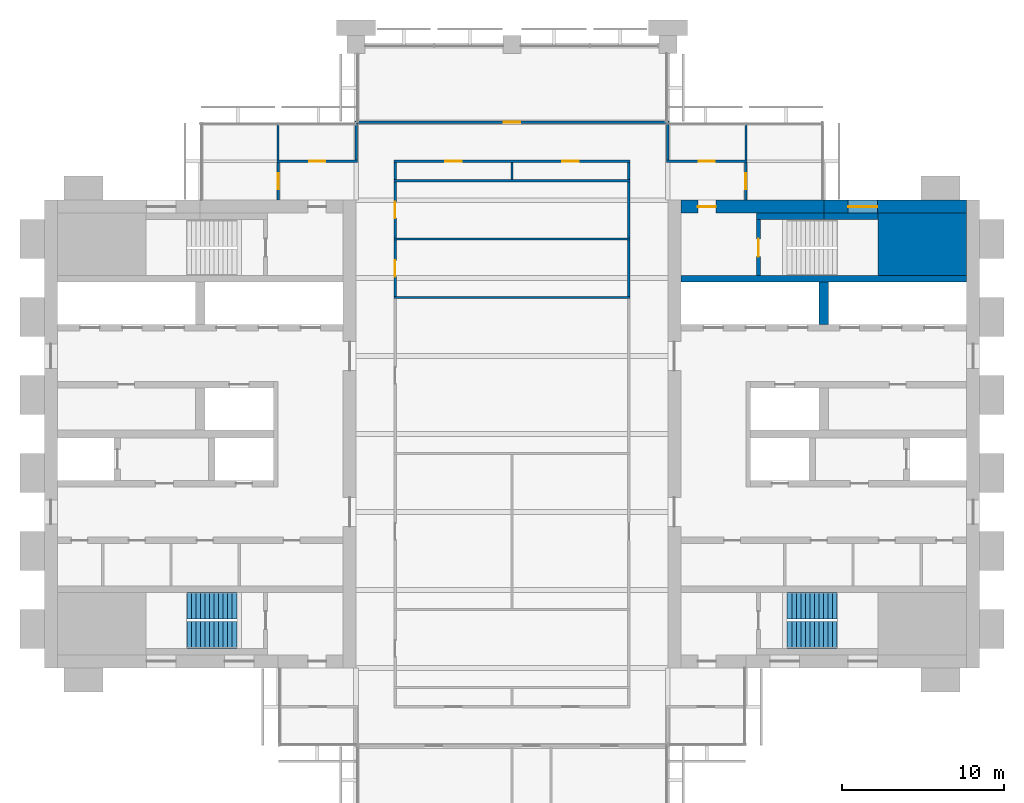
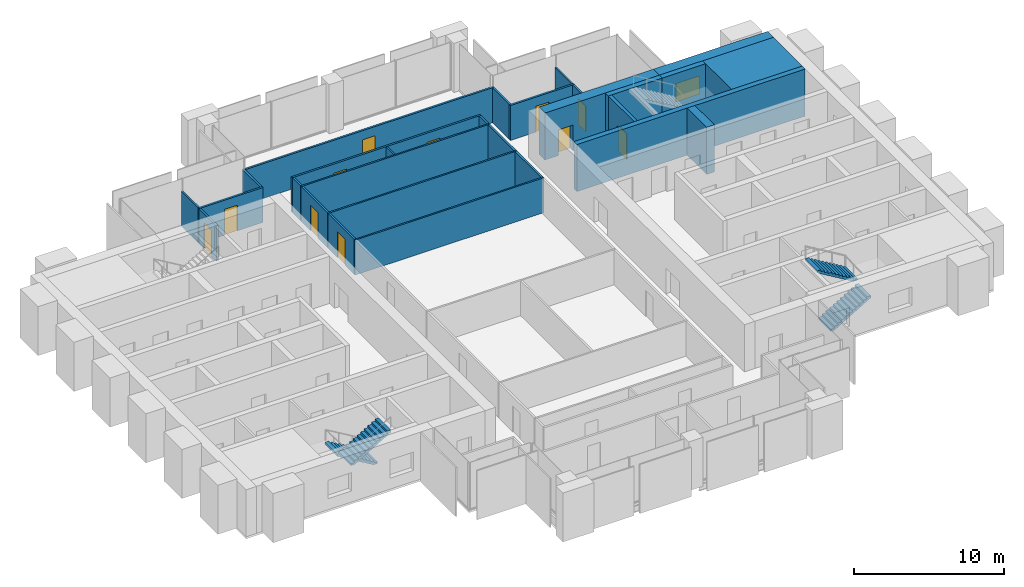
# One storey, part 11 of 13: 28 walls, 11 doors, 4 stair flights, 1 window, 12 openings, 2 elements without a shape of their own.
"""IFC4 building model written with IfcOpenShell, lengths in metres."""

from ifc_helpers import new_model, si_unit, direction, frame, frame_2d, origin, place, context, subcontext, project, spatial, polyline, rectangle, outline, extrude, material, layer, layer_set, type_object, element, fill, aggregate, save


model = new_model("IFC4")

# Units and contexts
model_context = context("Model", 3, precision=1e-05, world=origin(), true_north=direction((0.0, 1.0)))
body_context = subcontext(model_context, "Body", "Model", "MODEL_VIEW")
ifc_project = project(units=[si_unit("LENGTHUNIT", "METRE"), si_unit("AREAUNIT", "SQUARE_METRE"), si_unit("VOLUMEUNIT", "CUBIC_METRE"), si_unit("PLANEANGLEUNIT", "RADIAN"), si_unit("MASSUNIT", "GRAM", prefix="KILO")], contexts=[model_context])

# Site, building, storey
site_placement = place(None, origin())
site = spatial("IfcSite", under=ifc_project, at=site_placement, CompositionType="ELEMENT")
building_placement = place(site_placement, origin())
building = spatial("IfcBuilding", under=site, at=building_placement, Name="Baori Bourse Tower", CompositionType="ELEMENT")
storey_placement = place(building_placement, frame((0.0, 0.0, 241.199951171875)))
storey = spatial("IfcBuildingStorey", under=building, at=storey_placement, Name="L53", CompositionType="ELEMENT", Elevation=241.199951171875)

# Wall
ifc_material_1 = material(Name="Concrete f'c 50 MPa", Category="concrete")
wall_type_1 = type_object("IfcWallType", Name="Core corner block f'c 50", PredefinedType="SHEAR", material=ifc_material_1)
wall_1_placement = place(storey_placement, frame((51.35009765625, 35.675048828125, 0.0), z_axis=(0.0, 0.0, 1.0), x_axis=(1.0, 0.0, 0.0)))
element("IfcWall", 1, at=wall_1_placement, inside=storey, type_object=wall_type_1, Name="Core wall E23", PredefinedType="SHEAR", context=body_context, shape_type="SweptSolid", body=[
    extrude(rectangle(XDim=5.449951171875, YDim=3.85009765625, at=frame_2d((2.72509765625, 0.0))), origin(), (0.0, 0.0, 1.0), 3.840087890625),
])

# Wall, opening, window
ifc_material_2 = material(Name="Concrete f'c 50 MPa", Category="concrete")
ifc_layer_1 = layer(ifc_material_2, 0.800048828125)
ifc_layer_set_1 = layer_set([ifc_layer_1], Name="Core wall 800 f'c 50")
wall_type_2 = type_object("IfcWallType", Name="Core wall 800 f'c 50", PredefinedType="SHEAR", material=ifc_layer_set_1)
wall_2_placement = place(storey_placement, frame((48.0, 38.0, 0.0), z_axis=(0.0, 0.0, 1.0), x_axis=(1.0, 0.0, 0.0)))
wall_2 = element("IfcWall", 2, at=wall_2_placement, inside=storey, type_object=wall_type_2, Name="Core wall E27", PredefinedType="SHEAR", context=body_context, shape_type="SweptSolid", body=[
    extrude(rectangle(XDim=8.800048828125, YDim=0.800048828125, at=frame_2d((4.39990234375, 0.0))), origin(), (0.0, 0.0, 1.0), 3.840087890625),
])
opening_1_placement = place(wall_2_placement, frame((1.5, 0.0, 0.89990234375)))
opening_1 = element("IfcOpeningElement", 3, at=opening_1_placement, cuts=wall_2, Name="Opening L53-KW205", PredefinedType="OPENING", context=body_context, shape_type="SweptSolid", body=[
    extrude(rectangle(XDim=1.800048828125, YDim=1.5, at=frame_2d((0.89990234375, 0.75))), frame((0.0, 0.409912109375, 0.0), z_axis=(0.0, -1.0, 0.0), x_axis=(1.0, 0.0, 0.0)), (0.0, 0.0, 1.0), 0.820068359375),
])
ifc_material_3 = material(Name="Pale anodised aluminium", Category="aluminium")
window_type = type_object("IfcWindowType", Name="Stair window 1800 x 1500", PartitioningType="SINGLE_PANEL", PredefinedType="WINDOW", material=ifc_material_3)
window_placement = place(opening_1_placement, origin())
window = element("IfcWindow", 4, at=window_placement, inside=storey, type_object=window_type, Name="Stair window E L53 5", OverallHeight=1.5, OverallWidth=1.800048828125, PartitioningType="SINGLE_PANEL", PredefinedType="WINDOW", context=body_context, shape_type="SweptSolid", body=[
    extrude(rectangle(XDim=1.800048828125, YDim=1.5, at=frame_2d((0.89990234375, 0.75))), frame((0.0, 0.030029296875, 0.0), z_axis=(0.0, -1.0, 0.0), x_axis=(1.0, 0.0, 0.0)), (0.0, 0.0, 1.0), 0.06005859375),
])
fill(opening_1, window)

# Wall, opening, door
wall_3_placement = place(storey_placement, frame((39.199951171875, 38.0, 0.0), z_axis=(0.0, 0.0, 1.0), x_axis=(1.0, 0.0, 0.0)))
wall_3 = element("IfcWall", 5, at=wall_3_placement, inside=storey, type_object=wall_type_2, Name="Core wall E28", PredefinedType="SHEAR", context=body_context, shape_type="SweptSolid", body=[
    extrude(rectangle(XDim=8.800048828125, YDim=0.800048828125, at=frame_2d((4.39990234375, 0.0))), origin(), (0.0, 0.0, 1.0), 3.840087890625),
])
opening_2_placement = place(wall_3_placement, frame((1.050048828125, 0.0, 0.0)))
opening_2 = element("IfcOpeningElement", 6, at=opening_2_placement, cuts=wall_3, Name="Opening L53-D204", PredefinedType="OPENING", context=body_context, shape_type="SweptSolid", body=[
    extrude(rectangle(XDim=1.10009765625, YDim=2.10009765625, at=frame_2d((0.550048828125, 1.050048828125))), frame((0.0, 0.409912109375, 0.0), z_axis=(0.0, -1.0, 0.0), x_axis=(1.0, 0.0, 0.0)), (0.0, 0.0, 1.0), 0.820068359375),
])
ifc_material_4 = material(Name="Painted steel door", Category="steel")
door_type_1 = type_object("IfcDoorType", Name="Stair door 1100", OperationType="SINGLE_SWING_LEFT", PredefinedType="DOOR", material=ifc_material_4)
door_1_placement = place(opening_2_placement, origin())
door_1 = element("IfcDoor", 7, at=door_1_placement, inside=storey, type_object=door_type_1, Name="Stair vestibule door B E L53", OperationType="SINGLE_SWING_LEFT", OverallHeight=2.10009765625, OverallWidth=1.10009765625, PredefinedType="DOOR", context=body_context, shape_type="SweptSolid", body=[
    extrude(rectangle(XDim=1.10009765625, YDim=2.10009765625, at=frame_2d((0.550048828125, 1.050048828125))), frame((0.0, 0.02490234375, 0.0), z_axis=(0.0, -1.0, 0.0), x_axis=(1.0, 0.0, 0.0)), (0.0, 0.0, 1.0), 0.050048828125),
])
fill(opening_2, door_1)

ifc_material_5 = material(Name="Gypsum board partition")
ifc_layer_2 = layer(ifc_material_5, 0.14990234375)
ifc_layer_set_2 = layer_set([ifc_layer_2], Name="Corridor partition 150")
wall_type_3 = type_object("IfcWallType", Name="Corridor partition 150", PredefinedType="PARTITIONING", material=ifc_layer_set_2)
wall_4_placement = place(storey_placement, frame((14.324951171875, 40.800048828125, 0.0), z_axis=(0.0, 0.0, 1.0), x_axis=(1.0, 0.0, 0.0)))
wall_4 = element("IfcWall", 8, at=wall_4_placement, inside=storey, type_object=wall_type_3, Name="Partition", PredefinedType="PARTITIONING", context=body_context, shape_type="SweptSolid", body=[
    extrude(rectangle(XDim=4.949951171875, YDim=0.14990234375, at=frame_2d((2.47509765625, 0.0))), origin(), (0.0, 0.0, 1.0), 2.849365234375),
])
opening_3_placement = place(wall_4_placement, frame((1.97509765625, 0.0, 0.0)))
opening_3 = element("IfcOpeningElement", 9, at=opening_3_placement, cuts=wall_4, Name="Opening L53-D08", PredefinedType="OPENING", context=body_context, shape_type="SweptSolid", body=[
    extrude(rectangle(XDim=1.0, YDim=2.10009765625, at=frame_2d((0.5, 1.050048828125))), frame((0.0, 0.0849609375, 0.0), z_axis=(0.0, -1.0, 0.0), x_axis=(1.0, 0.0, 0.0)), (0.0, 0.0, 1.0), 0.169921875),
])
ifc_material_6 = material(Name="Timber door leaf", Category="wood")
door_type_2 = type_object("IfcDoorType", Name="Door 1000 x 2100", OperationType="SINGLE_SWING_LEFT", PredefinedType="DOOR", material=ifc_material_6)
door_2_placement = place(opening_3_placement, origin())
door_2 = element("IfcDoor", 10, at=door_2_placement, inside=storey, type_object=door_type_2, Name="Door", OperationType="SINGLE_SWING_LEFT", OverallHeight=2.10009765625, OverallWidth=1.0, PredefinedType="DOOR", context=body_context, shape_type="SweptSolid", body=[
    extrude(rectangle(XDim=1.0, YDim=2.10009765625, at=frame_2d((0.5, 1.050048828125))), frame((0.0, 0.02490234375, 0.0), z_axis=(0.0, -1.0, 0.0), x_axis=(1.0, 0.0, 0.0)), (0.0, 0.0, 1.0), 0.050048828125),
])
fill(opening_3, door_2)

# Wall, openings, doors
wall_5_placement = place(storey_placement, frame((21.52490234375, 40.800048828125, 0.0), z_axis=(0.0, 0.0, 1.0), x_axis=(1.0, 0.0, 0.0)))
wall_5 = element("IfcWall", 11, at=wall_5_placement, inside=storey, type_object=wall_type_3, Name="Partition", PredefinedType="PARTITIONING", context=body_context, shape_type="SweptSolid", body=[
    extrude(rectangle(XDim=14.550048828125, YDim=0.14990234375, at=frame_2d((7.27490234375, 0.0))), origin(), (0.0, 0.0, 1.0), 2.849365234375),
])
opening_4_placement = place(wall_5_placement, frame((3.175048828125, 0.0, 0.0)))
opening_4 = element("IfcOpeningElement", 12, at=opening_4_placement, cuts=wall_5, Name="Opening L53-D09", PredefinedType="OPENING", context=body_context, shape_type="SweptSolid", body=[
    extrude(rectangle(XDim=1.0, YDim=2.10009765625, at=frame_2d((0.5, 1.050048828125))), frame((0.0, 0.0849609375, 0.0), z_axis=(0.0, -1.0, 0.0), x_axis=(1.0, 0.0, 0.0)), (0.0, 0.0, 1.0), 0.169921875),
])
opening_5_placement = place(wall_5_placement, frame((10.375, 0.0, 0.0)))
opening_5 = element("IfcOpeningElement", 13, at=opening_5_placement, cuts=wall_5, Name="Opening L53-D10", PredefinedType="OPENING", context=body_context, shape_type="SweptSolid", body=[
    extrude(rectangle(XDim=1.0, YDim=2.10009765625, at=frame_2d((0.5, 1.050048828125))), frame((0.0, 0.0849609375, 0.0), z_axis=(0.0, -1.0, 0.0), x_axis=(1.0, 0.0, 0.0)), (0.0, 0.0, 1.0), 0.169921875),
])
door_3_placement = place(opening_4_placement, origin())
door_3 = element("IfcDoor", 14, at=door_3_placement, inside=storey, type_object=door_type_2, Name="Door", OperationType="SINGLE_SWING_LEFT", OverallHeight=2.10009765625, OverallWidth=1.0, PredefinedType="DOOR", context=body_context, shape_type="SweptSolid", body=[
    extrude(rectangle(XDim=1.0, YDim=2.10009765625, at=frame_2d((0.5, 1.050048828125))), frame((0.0, 0.02490234375, 0.0), z_axis=(0.0, -1.0, 0.0), x_axis=(1.0, 0.0, 0.0)), (0.0, 0.0, 1.0), 0.050048828125),
])
fill(opening_4, door_3)
door_4_placement = place(opening_5_placement, origin())
door_4 = element("IfcDoor", 15, at=door_4_placement, inside=storey, type_object=door_type_2, Name="Door", OperationType="SINGLE_SWING_RIGHT", OverallHeight=2.10009765625, OverallWidth=1.0, PredefinedType="DOOR", context=body_context, shape_type="SweptSolid", body=[
    extrude(rectangle(XDim=1.0, YDim=2.10009765625, at=frame_2d((0.5, 1.050048828125))), frame((0.0, 0.02490234375, 0.0), z_axis=(0.0, -1.0, 0.0), x_axis=(1.0, 0.0, 0.0)), (0.0, 0.0, 1.0), 0.050048828125),
])
fill(opening_5, door_4)

# Wall, opening, door
wall_6_placement = place(storey_placement, frame((38.324951171875, 40.800048828125, 0.0), z_axis=(0.0, 0.0, 1.0), x_axis=(1.0, 0.0, 0.0)))
wall_6 = element("IfcWall", 16, at=wall_6_placement, inside=storey, type_object=wall_type_3, Name="Partition", PredefinedType="PARTITIONING", context=body_context, shape_type="SweptSolid", body=[
    extrude(rectangle(XDim=4.949951171875, YDim=0.14990234375, at=frame_2d((2.47509765625, 0.0))), origin(), (0.0, 0.0, 1.0), 2.849365234375),
])
opening_6_placement = place(wall_6_placement, frame((1.97509765625, 0.0, 0.0)))
opening_6 = element("IfcOpeningElement", 17, at=opening_6_placement, cuts=wall_6, Name="Opening L53-D11", PredefinedType="OPENING", context=body_context, shape_type="SweptSolid", body=[
    extrude(rectangle(XDim=1.0, YDim=2.10009765625, at=frame_2d((0.5, 1.050048828125))), frame((0.0, 0.0849609375, 0.0), z_axis=(0.0, -1.0, 0.0), x_axis=(1.0, 0.0, 0.0)), (0.0, 0.0, 1.0), 0.169921875),
])
door_5_placement = place(opening_6_placement, origin())
door_5 = element("IfcDoor", 18, at=door_5_placement, inside=storey, type_object=door_type_2, Name="Door", OperationType="SINGLE_SWING_RIGHT", OverallHeight=2.10009765625, OverallWidth=1.0, PredefinedType="DOOR", context=body_context, shape_type="SweptSolid", body=[
    extrude(rectangle(XDim=1.0, YDim=2.10009765625, at=frame_2d((0.5, 1.050048828125))), frame((0.0, 0.02490234375, 0.0), z_axis=(0.0, -1.0, 0.0), x_axis=(1.0, 0.0, 0.0)), (0.0, 0.0, 1.0), 0.050048828125),
])
fill(opening_6, door_5)

wall_7_placement = place(storey_placement, frame((19.125, 43.199951171875, 0.0), z_axis=(0.0, 0.0, 1.0), x_axis=(1.0, 0.0, 0.0)))
wall_7 = element("IfcWall", 19, at=wall_7_placement, inside=storey, type_object=wall_type_3, Name="Partition", PredefinedType="PARTITIONING", context=body_context, shape_type="SweptSolid", body=[
    extrude(rectangle(XDim=19.35009765625, YDim=0.14990234375, at=frame_2d((9.675048828125, 0.0))), origin(), (0.0, 0.0, 1.0), 2.849365234375),
])
opening_7_placement = place(wall_7_placement, frame((9.175048828125, 0.0, 0.0)))
opening_7 = element("IfcOpeningElement", 20, at=opening_7_placement, cuts=wall_7, Name="Opening L53-D12", PredefinedType="OPENING", context=body_context, shape_type="SweptSolid", body=[
    extrude(rectangle(XDim=1.0, YDim=2.10009765625, at=frame_2d((0.5, 1.050048828125))), frame((0.0, 0.0849609375, 0.0), z_axis=(0.0, -1.0, 0.0), x_axis=(1.0, 0.0, 0.0)), (0.0, 0.0, 1.0), 0.169921875),
])
door_6_placement = place(opening_7_placement, origin())
door_6 = element("IfcDoor", 21, at=door_6_placement, inside=storey, type_object=door_type_2, Name="Door", OperationType="SINGLE_SWING_RIGHT", OverallHeight=2.10009765625, OverallWidth=1.0, PredefinedType="DOOR", context=body_context, shape_type="SweptSolid", body=[
    extrude(rectangle(XDim=1.0, YDim=2.10009765625, at=frame_2d((0.5, 1.050048828125))), frame((0.0, 0.02490234375, 0.0), z_axis=(0.0, -1.0, 0.0), x_axis=(1.0, 0.0, 0.0)), (0.0, 0.0, 1.0), 0.050048828125),
])
fill(opening_7, door_6)

wall_8_placement = place(storey_placement, frame((14.39990234375, 38.39990234375, 0.0), z_axis=(0.0, 0.0, 1.0), x_axis=(0.0, 1.0, 0.0)))
wall_8 = element("IfcWall", 22, at=wall_8_placement, inside=storey, type_object=wall_type_3, Name="Partition", PredefinedType="PARTITIONING", context=body_context, shape_type="SweptSolid", body=[
    extrude(rectangle(XDim=2.3251953125, YDim=0.14990234375, at=frame_2d((1.16259765625, 0.0))), origin(), (0.0, 0.0, 1.0), 2.849365234375),
])
opening_8_placement = place(wall_8_placement, frame((0.66259765625, 0.0, 0.0)))
opening_8 = element("IfcOpeningElement", 23, at=opening_8_placement, cuts=wall_8, Name="Opening L53-D13", PredefinedType="OPENING", context=body_context, shape_type="SweptSolid", body=[
    extrude(rectangle(XDim=1.0, YDim=2.10009765625, at=frame_2d((0.5, 1.050048828125))), frame((0.0, 0.0849609375, 0.0), z_axis=(0.0, -1.0, 0.0), x_axis=(1.0, 0.0, 0.0)), (0.0, 0.0, 1.0), 0.169921875),
])
door_7_placement = place(opening_8_placement, origin())
door_7 = element("IfcDoor", 24, at=door_7_placement, inside=storey, type_object=door_type_2, Name="Door", OperationType="SINGLE_SWING_RIGHT", OverallHeight=2.10009765625, OverallWidth=1.0, PredefinedType="DOOR", context=body_context, shape_type="SweptSolid", body=[
    extrude(rectangle(XDim=1.0, YDim=2.10009765625, at=frame_2d((0.5, 1.050048828125))), frame((0.0, 0.02490234375, 0.0), z_axis=(0.0, -1.0, 0.0), x_axis=(1.0, 0.0, 0.0)), (0.0, 0.0, 1.0), 0.050048828125),
])
fill(opening_8, door_7)

# Wall
wall_9_placement = place(storey_placement, frame((19.199951171875, 40.875, 0.0), z_axis=(0.0, 0.0, 1.0), x_axis=(0.0, 1.0, 0.0)))
element("IfcWall", 25, at=wall_9_placement, inside=storey, type_object=wall_type_3, Name="Partition", PredefinedType="PARTITIONING", context=body_context, shape_type="SweptSolid", body=[
    extrude(rectangle(XDim=2.25, YDim=0.14990234375, at=frame_2d((1.125, 0.0))), origin(), (0.0, 0.0, 1.0), 2.849365234375),
])

# Wall, opening, door
wall_10_placement = place(storey_placement, frame((21.60009765625, 32.46240234375, 0.0), z_axis=(0.0, 0.0, 1.0), x_axis=(0.0, 1.0, 0.0)))
wall_10 = element("IfcWall", 26, at=wall_10_placement, inside=storey, type_object=wall_type_3, Name="Partition", PredefinedType="PARTITIONING", context=body_context, shape_type="SweptSolid", body=[
    extrude(rectangle(XDim=3.47509765625, YDim=0.14990234375, at=frame_2d((1.737548828125, 0.0))), origin(), (0.0, 0.0, 1.0), 2.849365234375),
])
opening_9_placement = place(wall_10_placement, frame((1.237548828125, 0.0, 0.0)))
opening_9 = element("IfcOpeningElement", 27, at=opening_9_placement, cuts=wall_10, Name="Opening L53-D17", PredefinedType="OPENING", context=body_context, shape_type="SweptSolid", body=[
    extrude(rectangle(XDim=1.0, YDim=2.10009765625, at=frame_2d((0.5, 1.050048828125))), frame((0.0, 0.0849609375, 0.0), z_axis=(0.0, -1.0, 0.0), x_axis=(1.0, 0.0, 0.0)), (0.0, 0.0, 1.0), 0.169921875),
])
door_8_placement = place(opening_9_placement, origin())
door_8 = element("IfcDoor", 28, at=door_8_placement, inside=storey, type_object=door_type_2, Name="Door", OperationType="SINGLE_SWING_RIGHT", OverallHeight=2.10009765625, OverallWidth=1.0, PredefinedType="DOOR", context=body_context, shape_type="SweptSolid", body=[
    extrude(rectangle(XDim=1.0, YDim=2.10009765625, at=frame_2d((0.5, 1.050048828125))), frame((0.0, 0.02490234375, 0.0), z_axis=(0.0, -1.0, 0.0), x_axis=(1.0, 0.0, 0.0)), (0.0, 0.0, 1.0), 0.050048828125),
])
fill(opening_9, door_8)

wall_11_placement = place(storey_placement, frame((21.60009765625, 36.0625, 0.0), z_axis=(0.0, 0.0, 1.0), x_axis=(0.0, 1.0, 0.0)))
wall_11 = element("IfcWall", 29, at=wall_11_placement, inside=storey, type_object=wall_type_3, Name="Partition", PredefinedType="PARTITIONING", context=body_context, shape_type="SweptSolid", body=[
    extrude(rectangle(XDim=3.47509765625, YDim=0.14990234375, at=frame_2d((1.737548828125, 0.0))), origin(), (0.0, 0.0, 1.0), 2.849365234375),
])
opening_10_placement = place(wall_11_placement, frame((1.237548828125, 0.0, 0.0)))
opening_10 = element("IfcOpeningElement", 30, at=opening_10_placement, cuts=wall_11, Name="Opening L53-D18", PredefinedType="OPENING", context=body_context, shape_type="SweptSolid", body=[
    extrude(rectangle(XDim=1.0, YDim=2.10009765625, at=frame_2d((0.5, 1.050048828125))), frame((0.0, 0.0849609375, 0.0), z_axis=(0.0, -1.0, 0.0), x_axis=(1.0, 0.0, 0.0)), (0.0, 0.0, 1.0), 0.169921875),
])
door_9_placement = place(opening_10_placement, origin())
door_9 = element("IfcDoor", 31, at=door_9_placement, inside=storey, type_object=door_type_2, Name="Door", OperationType="SINGLE_SWING_LEFT", OverallHeight=2.10009765625, OverallWidth=1.0, PredefinedType="DOOR", context=body_context, shape_type="SweptSolid", body=[
    extrude(rectangle(XDim=1.0, YDim=2.10009765625, at=frame_2d((0.5, 1.050048828125))), frame((0.0, 0.02490234375, 0.0), z_axis=(0.0, -1.0, 0.0), x_axis=(1.0, 0.0, 0.0)), (0.0, 0.0, 1.0), 0.050048828125),
])
fill(opening_10, door_9)

# Walls
wall_12_placement = place(storey_placement, frame((21.60009765625, 39.66259765625, 0.0), z_axis=(0.0, 0.0, 1.0), x_axis=(0.0, 1.0, 0.0)))
element("IfcWall", 32, at=wall_12_placement, inside=storey, type_object=wall_type_3, Name="Partition", PredefinedType="PARTITIONING", context=body_context, shape_type="SweptSolid", body=[
    extrude(rectangle(XDim=1.0625, YDim=0.14990234375, at=frame_2d((0.53125, 0.0))), origin(), (0.0, 0.0, 1.0), 2.849365234375),
])
for number, where, z_axis, x_axis, name in (
    (33, (36.0, 32.46240234375, 0.0), (0.0, 0.0, 1.0), (0.0, 1.0, 0.0), "Partition"),
    (34, (36.0, 36.0625, 0.0), (0.0, 0.0, 1.0), (0.0, 1.0, 0.0), "Partition"),
):
    element("IfcWall", number, at=place(storey_placement, frame(where, z_axis=z_axis, x_axis=x_axis)), inside=storey, type_object=wall_type_3, Name=name, PredefinedType="PARTITIONING", context=body_context, shape_type="SweptSolid", body=[
        extrude(rectangle(XDim=3.47509765625, YDim=0.14990234375, at=frame_2d((1.737548828125, 0.0))), origin(), (0.0, 0.0, 1.0), 2.849365234375),
    ])
wall_13_placement = place(storey_placement, frame((36.0, 39.66259765625, 0.0), z_axis=(0.0, 0.0, 1.0), x_axis=(0.0, 1.0, 0.0)))
element("IfcWall", 35, at=wall_13_placement, inside=storey, type_object=wall_type_3, Name="Partition", PredefinedType="PARTITIONING", context=body_context, shape_type="SweptSolid", body=[
    extrude(rectangle(XDim=1.0625, YDim=0.14990234375, at=frame_2d((0.53125, 0.0))), origin(), (0.0, 0.0, 1.0), 2.849365234375),
])
wall_14_placement = place(storey_placement, frame((38.39990234375, 40.875, 0.0), z_axis=(0.0, 0.0, 1.0), x_axis=(0.0, 1.0, 0.0)))
element("IfcWall", 36, at=wall_14_placement, inside=storey, type_object=wall_type_3, Name="Partition", PredefinedType="PARTITIONING", context=body_context, shape_type="SweptSolid", body=[
    extrude(rectangle(XDim=2.25, YDim=0.14990234375, at=frame_2d((1.125, 0.0))), origin(), (0.0, 0.0, 1.0), 2.849365234375),
])

# Wall, opening, door
wall_15_placement = place(storey_placement, frame((43.199951171875, 38.39990234375, 0.0), z_axis=(0.0, 0.0, 1.0), x_axis=(0.0, 1.0, 0.0)))
wall_15 = element("IfcWall", 37, at=wall_15_placement, inside=storey, type_object=wall_type_3, Name="Partition", PredefinedType="PARTITIONING", context=body_context, shape_type="SweptSolid", body=[
    extrude(rectangle(XDim=2.3251953125, YDim=0.14990234375, at=frame_2d((1.16259765625, 0.0))), origin(), (0.0, 0.0, 1.0), 2.849365234375),
])
opening_11_placement = place(wall_15_placement, frame((0.66259765625, 0.0, 0.0)))
opening_11 = element("IfcOpeningElement", 38, at=opening_11_placement, cuts=wall_15, Name="Opening L53-D20", PredefinedType="OPENING", context=body_context, shape_type="SweptSolid", body=[
    extrude(rectangle(XDim=1.0, YDim=2.10009765625, at=frame_2d((0.5, 1.050048828125))), frame((0.0, 0.0849609375, 0.0), z_axis=(0.0, -1.0, 0.0), x_axis=(1.0, 0.0, 0.0)), (0.0, 0.0, 1.0), 0.169921875),
])
door_10_placement = place(opening_11_placement, origin())
door_10 = element("IfcDoor", 39, at=door_10_placement, inside=storey, type_object=door_type_2, Name="Door", OperationType="SINGLE_SWING_LEFT", OverallHeight=2.10009765625, OverallWidth=1.0, PredefinedType="DOOR", context=body_context, shape_type="SweptSolid", body=[
    extrude(rectangle(XDim=1.0, YDim=2.10009765625, at=frame_2d((0.5, 1.050048828125))), frame((0.0, 0.02490234375, 0.0), z_axis=(0.0, -1.0, 0.0), x_axis=(1.0, 0.0, 0.0)), (0.0, 0.0, 1.0), 0.050048828125),
])
fill(opening_11, door_10)

# Walls
ifc_material_7 = material(Name="Gypsum board partition")
ifc_layer_3 = layer(ifc_material_7, 0.125)
ifc_layer_set_3 = layer_set([ifc_layer_3], Name="Partition 125")
wall_type_4 = type_object("IfcWallType", Name="Partition 125", PredefinedType="PARTITIONING", material=ifc_layer_set_3)
for number, where, z_axis, x_axis, name in (
    (40, (21.52490234375, 32.39990234375, 0.0), (0.0, 0.0, 1.0), (1.0, 0.0, 0.0), "Partition"),
    (41, (21.52490234375, 36.0, 0.0), (0.0, 0.0, 1.0), (1.0, 0.0, 0.0), "Partition"),
    (42, (21.52490234375, 39.60009765625, 0.0), (0.0, 0.0, 1.0), (1.0, 0.0, 0.0), "Partition"),
):
    element("IfcWall", number, at=place(storey_placement, frame(where, z_axis=z_axis, x_axis=x_axis)), inside=storey, type_object=wall_type_4, Name=name, PredefinedType="PARTITIONING", context=body_context, shape_type="SweptSolid", body=[
        extrude(rectangle(XDim=14.550048828125, YDim=0.125, at=frame_2d((7.27490234375, 0.0))), origin(), (0.0, 0.0, 1.0), 2.849365234375),
    ])
wall_16_placement = place(storey_placement, frame((14.39990234375, 40.875, 0.0), z_axis=(0.0, 0.0, 1.0), x_axis=(0.0, 1.0, 0.0)))
element("IfcWall", 43, at=wall_16_placement, inside=storey, type_object=wall_type_4, Name="Partition", PredefinedType="PARTITIONING", context=body_context, shape_type="SweptSolid", body=[
    extrude(rectangle(XDim=2.22509765625, YDim=0.125, at=frame_2d((1.112548828125, 0.0))), origin(), (0.0, 0.0, 1.0), 2.849365234375),
])
wall_17_placement = place(storey_placement, frame((28.800048828125, 39.66259765625, 0.0), z_axis=(0.0, 0.0, 1.0), x_axis=(0.0, 1.0, 0.0)))
element("IfcWall", 44, at=wall_17_placement, inside=storey, type_object=wall_type_4, Name="Partition", PredefinedType="PARTITIONING", context=body_context, shape_type="SweptSolid", body=[
    extrude(rectangle(XDim=1.0625, YDim=0.125, at=frame_2d((0.53125, 0.0))), origin(), (0.0, 0.0, 1.0), 2.849365234375),
])
wall_18_placement = place(storey_placement, frame((43.199951171875, 40.875, 0.0), z_axis=(0.0, 0.0, 1.0), x_axis=(0.0, 1.0, 0.0)))
element("IfcWall", 45, at=wall_18_placement, inside=storey, type_object=wall_type_4, Name="Partition", PredefinedType="PARTITIONING", context=body_context, shape_type="SweptSolid", body=[
    extrude(rectangle(XDim=2.22509765625, YDim=0.125, at=frame_2d((1.112548828125, 0.0))), origin(), (0.0, 0.0, 1.0), 2.849365234375),
])

# Wall, opening, door
ifc_material_8 = material(Name="Concrete f'c 50 MPa", Category="concrete")
ifc_layer_4 = layer(ifc_material_8, 0.25)
ifc_layer_set_4 = layer_set([ifc_layer_4], Name="Shaft wall 250 f'c 50")
wall_type_5 = type_object("IfcWallType", Name="Shaft wall 250 f'c 50", PredefinedType="SHEAR", material=ifc_layer_set_4)
wall_19_placement = place(storey_placement, frame((43.97509765625, 33.75, 0.0), z_axis=(0.0, 0.0, 1.0), x_axis=(0.0, 1.0, 0.0)))
wall_19 = element("IfcWall", 46, at=wall_19_placement, inside=storey, type_object=wall_type_5, Name="Core wall E24", PredefinedType="SHEAR", context=body_context, shape_type="SweptSolid", body=[
    extrude(rectangle(XDim=3.449951171875, YDim=0.25, at=frame_2d((1.72509765625, 0.0))), origin(), (0.0, 0.0, 1.0), 3.840087890625),
])
opening_12_placement = place(wall_19_placement, frame((1.175048828125, 0.0, 0.0)))
opening_12 = element("IfcOpeningElement", 47, at=opening_12_placement, cuts=wall_19, Name="Opening L53-D203", PredefinedType="OPENING", context=body_context, shape_type="SweptSolid", body=[
    extrude(rectangle(XDim=1.10009765625, YDim=2.10009765625, at=frame_2d((0.550048828125, 1.050048828125))), frame((0.0, 0.135009765625, 0.0), z_axis=(0.0, -1.0, 0.0), x_axis=(1.0, 0.0, 0.0)), (0.0, 0.0, 1.0), 0.27001953125),
])
door_11_placement = place(opening_12_placement, origin())
door_11 = element("IfcDoor", 48, at=door_11_placement, inside=storey, type_object=door_type_1, Name="Stair door B E L53", OperationType="SINGLE_SWING_LEFT", OverallHeight=2.10009765625, OverallWidth=1.10009765625, PredefinedType="DOOR", context=body_context, shape_type="SweptSolid", body=[
    extrude(rectangle(XDim=1.10009765625, YDim=2.10009765625, at=frame_2d((0.550048828125, 1.050048828125))), frame((0.0, 0.02490234375, 0.0), z_axis=(0.0, -1.0, 0.0), x_axis=(1.0, 0.0, 0.0)), (0.0, 0.0, 1.0), 0.050048828125),
])
fill(opening_12, door_11)

# Walls
ifc_material_9 = material(Name="Concrete f'c 50 MPa", Category="concrete")
ifc_layer_5 = layer(ifc_material_9, 0.39990234375)
ifc_layer_set_5 = layer_set([ifc_layer_5], Name="Shaft wall 400 f'c 50")
wall_type_6 = type_object("IfcWallType", Name="Shaft wall 400 f'c 50", PredefinedType="SHEAR", material=ifc_layer_set_5)
wall_20_placement = place(storey_placement, frame((39.199951171875, 33.550048828125, 0.0), z_axis=(0.0, 0.0, 1.0), x_axis=(1.0, 0.0, 0.0)))
element("IfcWall", 49, at=wall_20_placement, inside=storey, type_object=wall_type_6, Name="Core wall E22", PredefinedType="SHEAR", context=body_context, shape_type="SweptSolid", body=[
    extrude(rectangle(XDim=17.60009765625, YDim=0.39990234375, at=frame_2d((8.800048828125, 0.0))), origin(), (0.0, 0.0, 1.0), 3.840087890625),
])
wall_21_placement = place(storey_placement, frame((48.0, 37.39990234375, 0.0), z_axis=(0.0, 0.0, 1.0), x_axis=(1.0, 0.0, 0.0)))
element("IfcWall", 50, at=wall_21_placement, inside=storey, type_object=wall_type_6, Name="Core wall E25", PredefinedType="SHEAR", context=body_context, shape_type="SweptSolid", body=[
    extrude(rectangle(XDim=3.35009765625, YDim=0.39990234375, at=frame_2d((1.675048828125, 0.0))), origin(), (0.0, 0.0, 1.0), 3.840087890625),
])
wall_22_placement = place(storey_placement, frame((43.85009765625, 37.39990234375, 0.0), z_axis=(0.0, 0.0, 1.0), x_axis=(1.0, 0.0, 0.0)))
element("IfcWall", 51, at=wall_22_placement, inside=storey, type_object=wall_type_6, Name="Core wall E26", PredefinedType="SHEAR", context=body_context, shape_type="SweptSolid", body=[
    extrude(rectangle(XDim=4.14990234375, YDim=0.39990234375, at=frame_2d((2.074951171875, 0.0))), origin(), (0.0, 0.0, 1.0), 3.840087890625),
])
ifc_material_10 = material(Name="Concrete f'c 50 MPa", Category="concrete")
ifc_layer_6 = layer(ifc_material_10, 0.60009765625)
ifc_layer_set_6 = layer_set([ifc_layer_6], Name="Shaft wall 600 f'c 50")
wall_type_7 = type_object("IfcWallType", Name="Shaft wall 600 f'c 50", PredefinedType="SHEAR", material=ifc_layer_set_6)
wall_23_placement = place(storey_placement, frame((48.0, 30.75, 0.0), z_axis=(0.0, 0.0, 1.0), x_axis=(0.0, 1.0, 0.0)))
element("IfcWall", 52, at=wall_23_placement, inside=storey, type_object=wall_type_7, Name="Core wall E21", PredefinedType="SHEAR", context=body_context, shape_type="SweptSolid", body=[
    extrude(rectangle(XDim=2.60009765625, YDim=0.60009765625, at=frame_2d((1.300048828125, 0.0))), origin(), (0.0, 0.0, 1.0), 3.840087890625),
])

# Stair, stair flights
ifc_material_11 = material(Name="Concrete f'c 50 MPa", Category="concrete")
stair_type = type_object("IfcStairType", Name="Core stair", PredefinedType="HALF_TURN_STAIR", material=ifc_material_11)
stair_1_placement = place(storey_placement, origin())
stair_1 = element("IfcStair", 53, at=stair_1_placement, inside=storey, type_object=stair_type, Name="L53 Stair WA", PredefinedType="HALF_TURN_STAIR")
ifc_material_12 = material(Name="Concrete f'c 50 MPa", Category="concrete")
stair_flight_type = type_object("IfcStairFlightType", Name="Core stair flight", PredefinedType="STRAIGHT", material=ifc_material_12)
stair_flight_1_placement = place(storey_placement, frame((11.85009765625, 13.425048828125, 0.0), z_axis=(0.0, 0.0, 1.0), x_axis=(-1.0, 0.0, 0.0)))
stair_flight_1 = element("IfcStairFlight", 54, at=stair_flight_1_placement, type_object=stair_flight_type, Name="ST1 flight 1", NumberOfRisers=12, NumberOfTreads=11, PredefinedType="STRAIGHT", RiserHeight=0.166666667, TreadLength=0.28, context=body_context, shape_type="SweptSolid", body=[
    extrude(outline(polyline([(0.0, 0.0), (0.0, 0.166748046875), (0.280029296875, 0.166748046875), (0.280029296875, 0.333251953125), (0.56005859375, 0.333251953125), (0.56005859375, 0.5), (0.840087890625, 0.5), (0.840087890625, 0.666748046875), (1.1201171875, 0.666748046875), (1.1201171875, 0.833251953125), (1.39990234375, 0.833251953125), (1.39990234375, 1.0), (1.679931640625, 1.0), (1.679931640625, 1.166748046875), (1.9599609375, 1.166748046875), (1.9599609375, 1.333251953125), (2.239990234375, 1.333251953125), (2.239990234375, 1.5), (2.52001953125, 1.5), (2.52001953125, 1.666748046875), (2.800048828125, 1.666748046875), (2.800048828125, 1.833251953125), (3.080078125, 1.833251953125), (3.080078125, 2.0), (3.080078125, 1.658935546875), (0.29296875, 0.0), (0.0, 0.0)])), frame((0.0, 0.824951171875, 0.0), z_axis=(0.0, -1.0, 0.0), x_axis=(1.0, 0.0, 0.0)), (0.0, 0.0, 1.0), 1.64990234375),
])
stair_flight_2_placement = place(storey_placement, frame((8.77001953125, 11.625, 2.0), z_axis=(0.0, 0.0, 1.0), x_axis=(1.0, 0.0, 0.0)))
stair_flight_2 = element("IfcStairFlight", 55, at=stair_flight_2_placement, type_object=stair_flight_type, Name="ST1 flight 2", NumberOfRisers=12, NumberOfTreads=11, PredefinedType="STRAIGHT", RiserHeight=0.166666667, TreadLength=0.28, context=body_context, shape_type="SweptSolid", body=[
    extrude(outline(polyline([(0.0, 0.0), (0.0, 0.166748046875), (0.280029296875, 0.166748046875), (0.280029296875, 0.333251953125), (0.56005859375, 0.333251953125), (0.56005859375, 0.5), (0.840087890625, 0.5), (0.840087890625, 0.666748046875), (1.1201171875, 0.666748046875), (1.1201171875, 0.833251953125), (1.39990234375, 0.833251953125), (1.39990234375, 1.0), (1.679931640625, 1.0), (1.679931640625, 1.166748046875), (1.9599609375, 1.166748046875), (1.9599609375, 1.333251953125), (2.239990234375, 1.333251953125), (2.239990234375, 1.5), (2.52001953125, 1.5), (2.52001953125, 1.666748046875), (2.800048828125, 1.666748046875), (2.800048828125, 1.833251953125), (3.080078125, 1.833251953125), (3.080078125, 2.0), (3.080078125, 1.658935546875), (0.29296875, 0.0), (0.0, 0.0)])), frame((0.0, 0.824951171875, 0.0), z_axis=(0.0, -1.0, 0.0), x_axis=(1.0, 0.0, 0.0)), (0.0, 0.0, 1.0), 1.64990234375),
])
aggregate(stair_1, [stair_flight_1, stair_flight_2])

stair_2_placement = place(storey_placement, origin())
stair_2 = element("IfcStair", 56, at=stair_2_placement, inside=storey, type_object=stair_type, Name="L53 Stair EA", PredefinedType="HALF_TURN_STAIR")
stair_flight_3_placement = place(storey_placement, frame((45.75, 11.625, 0.0), z_axis=(0.0, 0.0, 1.0), x_axis=(1.0, 0.0, 0.0)))
stair_flight_3 = element("IfcStairFlight", 57, at=stair_flight_3_placement, type_object=stair_flight_type, Name="ST3 flight 1", NumberOfRisers=12, NumberOfTreads=11, PredefinedType="STRAIGHT", RiserHeight=0.166666667, TreadLength=0.28, context=body_context, shape_type="SweptSolid", body=[
    extrude(outline(polyline([(0.0, 0.0), (0.0, 0.166748046875), (0.280029296875, 0.166748046875), (0.280029296875, 0.333251953125), (0.56005859375, 0.333251953125), (0.56005859375, 0.5), (0.840087890625, 0.5), (0.840087890625, 0.666748046875), (1.1201171875, 0.666748046875), (1.1201171875, 0.833251953125), (1.39990234375, 0.833251953125), (1.39990234375, 1.0), (1.679931640625, 1.0), (1.679931640625, 1.166748046875), (1.9599609375, 1.166748046875), (1.9599609375, 1.333251953125), (2.239990234375, 1.333251953125), (2.239990234375, 1.5), (2.52001953125, 1.5), (2.52001953125, 1.666748046875), (2.800048828125, 1.666748046875), (2.800048828125, 1.833251953125), (3.080078125, 1.833251953125), (3.080078125, 2.0), (3.080078125, 1.658935546875), (0.29296875, 0.0), (0.0, 0.0)])), frame((0.0, 0.824951171875, 0.0), z_axis=(0.0, -1.0, 0.0), x_axis=(1.0, 0.0, 0.0)), (0.0, 0.0, 1.0), 1.64990234375),
])
stair_flight_4_placement = place(storey_placement, frame((48.830078125, 13.425048828125, 2.0), z_axis=(0.0, 0.0, 1.0), x_axis=(-1.0, 0.0, 0.0)))
stair_flight_4 = element("IfcStairFlight", 58, at=stair_flight_4_placement, type_object=stair_flight_type, Name="ST3 flight 2", NumberOfRisers=12, NumberOfTreads=11, PredefinedType="STRAIGHT", RiserHeight=0.166666667, TreadLength=0.28, context=body_context, shape_type="SweptSolid", body=[
    extrude(outline(polyline([(0.0, 0.0), (0.0, 0.166748046875), (0.280029296875, 0.166748046875), (0.280029296875, 0.333251953125), (0.56005859375, 0.333251953125), (0.56005859375, 0.5), (0.840087890625, 0.5), (0.840087890625, 0.666748046875), (1.1201171875, 0.666748046875), (1.1201171875, 0.833251953125), (1.39990234375, 0.833251953125), (1.39990234375, 1.0), (1.679931640625, 1.0), (1.679931640625, 1.166748046875), (1.9599609375, 1.166748046875), (1.9599609375, 1.333251953125), (2.239990234375, 1.333251953125), (2.239990234375, 1.5), (2.52001953125, 1.5), (2.52001953125, 1.666748046875), (2.800048828125, 1.666748046875), (2.800048828125, 1.833251953125), (3.080078125, 1.833251953125), (3.080078125, 2.0), (3.080078125, 1.658935546875), (0.29296875, 0.0), (0.0, 0.0)])), frame((0.0, 0.824951171875, 0.0), z_axis=(0.0, -1.0, 0.0), x_axis=(1.0, 0.0, 0.0)), (0.0, 0.0, 1.0), 1.64990234375),
])
aggregate(stair_2, [stair_flight_3, stair_flight_4])

save(model, "model.ifc")
